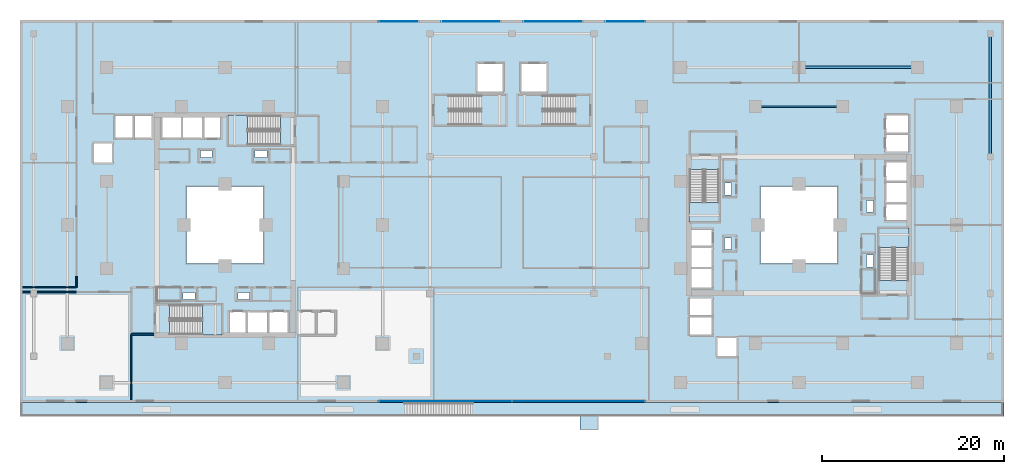
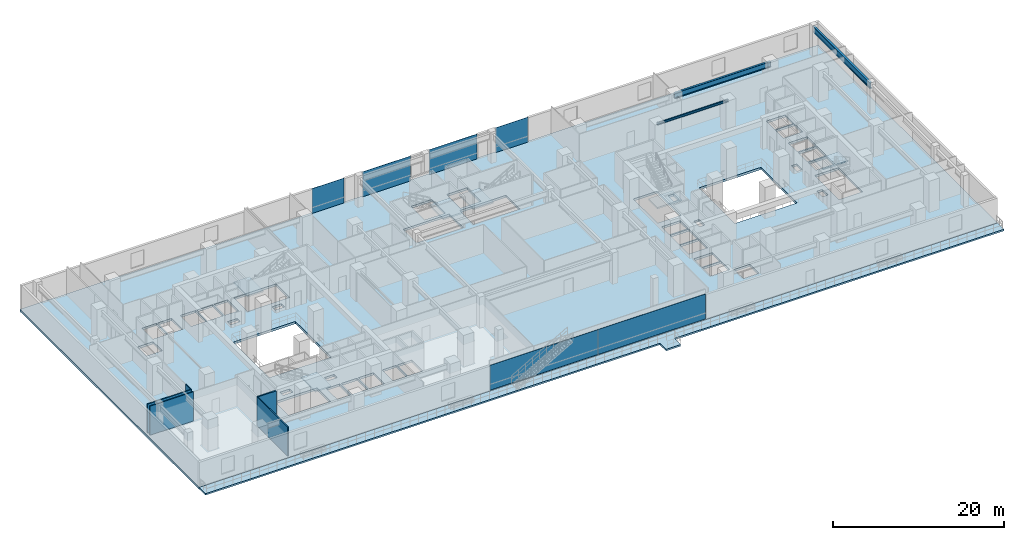
# One storey, part 12 of 25: 8 slabs, 6 plates, 5 walls, 3 beams, 11 elements without a shape of their own.
"""IFC4 building model written with IfcOpenShell, lengths in metres."""

from ifc_helpers import new_model, si_unit, direction, frame, frame_2d, origin, origin_2d, place, context, subcontext, project, spatial, polyline, rectangle, i_section, outline, extrude, material, layer, layer_set, material_profile, profile_set, type_object, element, aggregate, save


model = new_model("IFC4")

# Units and contexts
model_context = context("Model", 3, precision=1e-05, world=origin(), true_north=direction((0.0, 1.0)))
body_context = subcontext(model_context, "Body", "Model", "MODEL_VIEW")
ifc_project = project(units=[si_unit("LENGTHUNIT", "METRE"), si_unit("AREAUNIT", "SQUARE_METRE"), si_unit("VOLUMEUNIT", "CUBIC_METRE"), si_unit("PLANEANGLEUNIT", "RADIAN"), si_unit("MASSUNIT", "GRAM", prefix="KILO")], contexts=[model_context])

# Site, building, storey
site_placement = place(None, origin())
site = spatial("IfcSite", under=ifc_project, at=site_placement, CompositionType="ELEMENT")
building_placement = place(site_placement, origin())
building = spatial("IfcBuilding", under=site, at=building_placement, Name="Thornwick Lancets Civic Towers", CompositionType="ELEMENT")
storey_placement = place(building_placement, frame((0.0, 0.0, 9.60009765625)))
storey = spatial("IfcBuildingStorey", under=building, at=storey_placement, Name="L02", CompositionType="ELEMENT", Elevation=9.60009765625)

# Beams
ifc_material_1 = material(Name="Steel S355JR", Category="steel")
ifc_material_profile_1 = material_profile(ifc_material_1, i_section(OverallWidth=0.26806640625, OverallDepth=0.769775390625, WebThickness=0.015625, FlangeThickness=0.025390625, FilletRadius=0.0166015625, at=origin_2d()), Name="UKB 762x267x197")
ifc_profile_set_1 = profile_set([ifc_material_profile_1], Name="Steel S355JR")
beam_type_1 = type_object("IfcBeamType", Name="BM_GIRD_762_197", PredefinedType="BEAM", material=ifc_profile_set_1)
beam_1_placement = place(storey_placement, frame((101.5, 44.300048828125, 3.794921875), z_axis=(-1.0, 0.0, 0.0), x_axis=(0.0, -1.0, 0.0)))
element("IfcBeam", 1, at=beam_1_placement, inside=storey, type_object=beam_type_1, Name="BM-SPINE-L02-B-3-4", PredefinedType="BEAM", context=body_context, shape_type="SweptSolid", body=[
    extrude(i_section(OverallWidth=0.26806640625, OverallDepth=0.769775390625, WebThickness=0.015625, FlangeThickness=0.025390625, FilletRadius=0.0166015625, at=origin_2d()), origin(), (0.0, 0.0, 1.0), 13.0),
])
ifc_material_profile_2 = material_profile(ifc_material_1, i_section(OverallWidth=0.1669921875, OverallDepth=0.310302734375, WebThickness=0.0078125, FlangeThickness=0.013671875, FilletRadius=0.0087890625, at=origin_2d()), Name="UKB 305x165x54")
ifc_profile_set_2 = profile_set([ifc_material_profile_2], Name="Steel S355JR")
beam_type_2 = type_object("IfcBeamType", Name="BM_LINTEL_305_54", PredefinedType="LINTEL", material=ifc_profile_set_2)
beam_2_placement = place(storey_placement, frame((93.300048828125, 40.0, 4.024658203125), z_axis=(-1.0, 0.0, 0.0), x_axis=(0.0, -1.0, 0.0)))
element("IfcBeam", 2, at=beam_2_placement, inside=storey, type_object=beam_type_2, Name="BM-INSP-L02-B-1-3", PredefinedType="LINTEL", context=body_context, shape_type="SweptSolid", body=[
    extrude(i_section(OverallWidth=0.1669921875, OverallDepth=0.310302734375, WebThickness=0.0078125, FlangeThickness=0.013671875, FilletRadius=0.0087890625, at=origin_2d()), origin(), (0.0, 0.0, 1.0), 9.60009765625),
])
ifc_material_profile_3 = material_profile(ifc_material_1, i_section(OverallWidth=0.293701171875, OverallDepth=0.850830078125, WebThickness=0.01611328125, FlangeThickness=0.02685546875, FilletRadius=0.017822265625, at=origin_2d()), Name="UKB 838x292x226")
ifc_profile_set_3 = profile_set([ifc_material_profile_3], Name="Steel S355JR")
beam_type_3 = type_object("IfcBeamType", Name="BM_POD_838_226", PredefinedType="BEAM", material=ifc_profile_set_3)
beam_3_placement = place(storey_placement, frame((109.5, 34.580078125, 3.75439453125), z_axis=(0.0, 1.0, 0.0), x_axis=(-1.0, 0.0, 0.0)))
element("IfcBeam", 3, at=beam_3_placement, inside=storey, type_object=beam_type_3, Name="BM-PODG-L02-15-16", PredefinedType="BEAM", context=body_context, shape_type="SweptSolid", body=[
    extrude(i_section(OverallWidth=0.293701171875, OverallDepth=0.850830078125, WebThickness=0.01611328125, FlangeThickness=0.02685546875, FilletRadius=0.017822265625, at=origin_2d()), origin(), (0.0, 0.0, 1.0), 13.419921875),
])

# Curtain wall, plates
ifc_material_2 = material(Name="Terracotta-trimmed cascading podium ribbon curtain wall", Category="masonry")
curtain_wall_type = type_object("IfcCurtainWallType", Name="CW_SYS_02", PredefinedType="NOTDEFINED", material=ifc_material_2)
curtain_wall_1_placement = place(storey_placement, origin())
curtain_wall_1 = element("IfcCurtainWall", 4, at=curtain_wall_1_placement, inside=storey, type_object=curtain_wall_type, Name="L02 Curtain Wall CW-L02-POD-SC", PredefinedType="NOTDEFINED")
ifc_material_3 = material(Name="Low-e double glazing clear glass", Category="glass")
ifc_layer_1 = layer(ifc_material_3, 0.035888671875, Name="Low-e double glazing clear glass")
ifc_layer_set_1 = layer_set([ifc_layer_1], Name="Low-e double glazing clear glass")
plate_type = type_object("IfcPlateType", Name="CW_PNL_GLASS", PredefinedType="CURTAIN_PANEL", material=ifc_layer_set_1)
plate_1_placement = place(storey_placement, frame((49.699951171875, 7.659912109375, -0.000244140625), z_axis=(0.0, 0.0, 1.0), x_axis=(1.0, 0.0, 0.0)))
plate_1 = element("IfcPlate", 5, at=plate_1_placement, type_object=plate_type, Name="CW-L02-POD-SC Panel 0", PredefinedType="CURTAIN_PANEL", context=body_context, shape_type="SweptSolid", body=[
    extrude(rectangle(XDim=14.595947265625, YDim=0.035888671875, at=origin_2d()), origin(), (0.0, 0.0, 1.0), 3.56005859375),
])
plate_2_placement = place(storey_placement, frame((64.300048828125, 7.659912109375, -0.000244140625), z_axis=(0.0, 0.0, 1.0), x_axis=(1.0, 0.0, 0.0)))
plate_2 = element("IfcPlate", 6, at=plate_2_placement, type_object=plate_type, Name="CW-L02-POD-SC Panel 1", PredefinedType="CURTAIN_PANEL", context=body_context, shape_type="SweptSolid", body=[
    extrude(rectangle(XDim=14.595947265625, YDim=0.035888671875, at=origin_2d()), origin(), (0.0, 0.0, 1.0), 3.56005859375),
])
aggregate(curtain_wall_1, [plate_1, plate_2])

# Curtain wall, plate
curtain_wall_2_placement = place(storey_placement, origin())
curtain_wall_2 = element("IfcCurtainWall", 7, at=curtain_wall_2_placement, inside=storey, type_object=curtain_wall_type, Name="L02 Curtain Wall CW-L02-POD-NC-S1", PredefinedType="NOTDEFINED")
plate_3_placement = place(storey_placement, frame((69.425048828125, 49.340087890625, -0.000244140625), z_axis=(0.0, 0.0, 1.0), x_axis=(-1.0, 0.0, 0.0)))
plate_3 = element("IfcPlate", 8, at=plate_3_placement, type_object=plate_type, Name="CW-L02-POD-NC-S1 Panel 0", PredefinedType="CURTAIN_PANEL", context=body_context, shape_type="SweptSolid", body=[
    extrude(rectangle(XDim=4.345947265625, YDim=0.035888671875, at=origin_2d()), origin(), (0.0, 0.0, 1.0), 3.56005859375),
])
aggregate(curtain_wall_2, [plate_3])

curtain_wall_3_placement = place(storey_placement, origin())
curtain_wall_3 = element("IfcCurtainWall", 9, at=curtain_wall_3_placement, inside=storey, type_object=curtain_wall_type, Name="L02 Curtain Wall CW-L02-POD-NC-S2", PredefinedType="NOTDEFINED")
plate_4_placement = place(storey_placement, frame((61.5, 49.340087890625, -0.000244140625), z_axis=(0.0, 0.0, 1.0), x_axis=(-1.0, 0.0, 0.0)))
plate_4 = element("IfcPlate", 10, at=plate_4_placement, type_object=plate_type, Name="CW-L02-POD-NC-S2 Panel 0", PredefinedType="CURTAIN_PANEL", context=body_context, shape_type="SweptSolid", body=[
    extrude(rectangle(XDim=6.49609375, YDim=0.035888671875, at=origin_2d()), origin(), (0.0, 0.0, 1.0), 3.56005859375),
])
aggregate(curtain_wall_3, [plate_4])

curtain_wall_4_placement = place(storey_placement, origin())
curtain_wall_4 = element("IfcCurtainWall", 11, at=curtain_wall_4_placement, inside=storey, type_object=curtain_wall_type, Name="L02 Curtain Wall CW-L02-POD-NC-S3", PredefinedType="NOTDEFINED")
plate_5_placement = place(storey_placement, frame((52.5, 49.340087890625, -0.000244140625), z_axis=(0.0, 0.0, 1.0), x_axis=(-1.0, 0.0, 0.0)))
plate_5 = element("IfcPlate", 12, at=plate_5_placement, type_object=plate_type, Name="CW-L02-POD-NC-S3 Panel 0", PredefinedType="CURTAIN_PANEL", context=body_context, shape_type="SweptSolid", body=[
    extrude(rectangle(XDim=6.49609375, YDim=0.035888671875, at=origin_2d()), origin(), (0.0, 0.0, 1.0), 3.56005859375),
])
aggregate(curtain_wall_4, [plate_5])

curtain_wall_5_placement = place(storey_placement, origin())
curtain_wall_5 = element("IfcCurtainWall", 13, at=curtain_wall_5_placement, inside=storey, type_object=curtain_wall_type, Name="L02 Curtain Wall CW-L02-POD-NC-S4", PredefinedType="NOTDEFINED")
plate_6_placement = place(storey_placement, frame((44.574951171875, 49.340087890625, -0.000244140625), z_axis=(0.0, 0.0, 1.0), x_axis=(-1.0, 0.0, 0.0)))
plate_6 = element("IfcPlate", 14, at=plate_6_placement, type_object=plate_type, Name="CW-L02-POD-NC-S4 Panel 0", PredefinedType="CURTAIN_PANEL", context=body_context, shape_type="SweptSolid", body=[
    extrude(rectangle(XDim=4.345947265625, YDim=0.035888671875, at=origin_2d()), origin(), (0.0, 0.0, 1.0), 3.56005859375),
])
aggregate(curtain_wall_5, [plate_6])

# Stair, slab
ifc_material_4 = material(Name="Concrete C40/50", Category="concrete")
stair_type = type_object("IfcStairType", Name="STAIR_DL_4500", PredefinedType="HALF_TURN_STAIR", material=ifc_material_4)
stair_1_placement = place(storey_placement, origin())
stair_1 = element("IfcStair", 15, at=stair_1_placement, inside=storey, type_object=stair_type, Name="L02 Tower A South Exit Stair ST-A1", PredefinedType="HALF_TURN_STAIR")
ifc_layer_2 = layer(ifc_material_4, 0.25, Name="Concrete C40/50")
ifc_layer_set_2 = layer_set([ifc_layer_2], Name="Concrete C40/50")
slab_type_1 = type_object("IfcSlabType", Name="SLAB_LANDING_200", PredefinedType="LANDING", material=ifc_layer_set_2)
slab_1_placement = place(storey_placement, frame((0.0, 0.0, 2.052978515625)))
slab_1 = element("IfcSlab", 16, at=slab_1_placement, type_object=slab_type_1, Name="ST-A1 landing 1", PredefinedType="LANDING", context=body_context, shape_type="SweptSolid", body=[
    extrude(outline(polyline([(23.010009765625, 14.93994140625), (25.14990234375, 14.93994140625), (25.14990234375, 18.260009765625), (23.010009765625, 18.260009765625), (23.010009765625, 14.93994140625)])), origin(), (0.0, 0.0, 1.0), 0.199951171875),
])
aggregate(stair_1, [slab_1])

stair_2_placement = place(storey_placement, origin())
stair_2 = element("IfcStair", 17, at=stair_2_placement, inside=storey, type_object=stair_type, Name="L02 Tower A North Exit Stair ST-A2", PredefinedType="HALF_TURN_STAIR")
slab_2_placement = place(storey_placement, frame((0.0, 0.0, 2.052978515625)))
slab_2 = element("IfcSlab", 18, at=slab_2_placement, type_object=slab_type_1, Name="ST-A2 landing 1", PredefinedType="LANDING", context=body_context, shape_type="SweptSolid", body=[
    extrude(outline(polyline([(27.989990234375, 39.06005859375), (25.85009765625, 39.06005859375), (25.85009765625, 35.739990234375), (27.989990234375, 35.739990234375), (27.989990234375, 39.06005859375)])), origin(), (0.0, 0.0, 1.0), 0.199951171875),
])
aggregate(stair_2, [slab_2])

stair_3_placement = place(storey_placement, origin())
stair_3 = element("IfcStair", 19, at=stair_3_placement, inside=storey, type_object=stair_type, Name="L02 Tower B East Exit Stair ST-B1", PredefinedType="HALF_TURN_STAIR")
slab_3_placement = place(storey_placement, frame((0.0, 0.0, 2.052978515625)))
slab_3 = element("IfcSlab", 20, at=slab_3_placement, type_object=slab_type_1, Name="ST-B1 landing 1", PredefinedType="LANDING", context=body_context, shape_type="SweptSolid", body=[
    extrude(outline(polyline([(100.56005859375, 24.510009765625), (100.56005859375, 26.64990234375), (97.239990234375, 26.64990234375), (97.239990234375, 24.510009765625), (100.56005859375, 24.510009765625)])), origin(), (0.0, 0.0, 1.0), 0.199951171875),
])
aggregate(stair_3, [slab_3])

stair_4_placement = place(storey_placement, origin())
stair_4 = element("IfcStair", 21, at=stair_4_placement, inside=storey, type_object=stair_type, Name="L02 Tower B West Exit Stair ST-B2", PredefinedType="HALF_TURN_STAIR")
slab_4_placement = place(storey_placement, frame((0.0, 0.0, 2.052978515625)))
slab_4 = element("IfcSlab", 22, at=slab_4_placement, type_object=slab_type_1, Name="ST-B2 landing 1", PredefinedType="LANDING", context=body_context, shape_type="SweptSolid", body=[
    extrude(outline(polyline([(76.43994140625, 29.489990234375), (76.43994140625, 27.35009765625), (79.760009765625, 27.35009765625), (79.760009765625, 29.489990234375), (76.43994140625, 29.489990234375)])), origin(), (0.0, 0.0, 1.0), 0.199951171875),
])
aggregate(stair_4, [slab_4])

stair_5_placement = place(storey_placement, origin())
stair_5 = element("IfcStair", 23, at=stair_5_placement, inside=storey, type_object=stair_type, Name="L02 Podium Central West Exit Stair ST-P5", PredefinedType="HALF_TURN_STAIR")
slab_5_placement = place(storey_placement, frame((0.0, 0.0, 2.052978515625)))
slab_5 = element("IfcSlab", 24, at=slab_5_placement, type_object=slab_type_1, Name="ST-P5 landing 1", PredefinedType="LANDING", context=body_context, shape_type="SweptSolid", body=[
    extrude(outline(polyline([(53.610107421875, 37.93994140625), (56.35009765625, 37.93994140625), (56.35009765625, 41.260009765625), (53.610107421875, 41.260009765625), (53.610107421875, 37.93994140625)])), origin(), (0.0, 0.0, 1.0), 0.199951171875),
])
aggregate(stair_5, [slab_5])

stair_6_placement = place(storey_placement, origin())
stair_6 = element("IfcStair", 25, at=stair_6_placement, inside=storey, type_object=stair_type, Name="L02 Podium Central East Exit Stair ST-P6", PredefinedType="HALF_TURN_STAIR")
slab_6_placement = place(storey_placement, frame((0.0, 0.0, 2.052978515625)))
slab_6 = element("IfcSlab", 26, at=slab_6_placement, type_object=slab_type_1, Name="ST-P6 landing 1", PredefinedType="LANDING", context=body_context, shape_type="SweptSolid", body=[
    extrude(outline(polyline([(60.389892578125, 41.260009765625), (57.64990234375, 41.260009765625), (57.64990234375, 37.93994140625), (60.389892578125, 37.93994140625), (60.389892578125, 41.260009765625)])), origin(), (0.0, 0.0, 1.0), 0.199951171875),
])
aggregate(stair_6, [slab_6])

# Slabs
ifc_material_5 = material(Name="Post-tensioned concrete C40/50", Category="concrete")
ifc_layer_3 = layer(ifc_material_5, 0.320068359375, Name="Post-tensioned concrete C40/50")
ifc_layer_set_3 = layer_set([ifc_layer_3], Name="Post-tensioned concrete C40/50")
slab_type_2 = type_object("IfcSlabType", Name="SLAB_PT_320", PredefinedType="FLOOR", material=ifc_layer_set_3)
slab_7_placement = place(storey_placement, frame((0.0, 0.0, -0.320068359375)))
element("IfcSlab", 27, at=slab_7_placement, inside=storey, type_object=slab_type_2, Name="L02 Podium Structural Floor Slab", PredefinedType="FLOOR", context=body_context, shape_type="SweptSolid", body=[
    extrude(outline(polyline([(3.0, 7.5), (111.0, 7.5), (111.0, 49.5), (3.0, 49.5), (3.0, 7.5)]), holes=[polyline([(21.300048828125, 22.800048828125), (29.699951171875, 22.800048828125), (29.699951171875, 31.199951171875), (21.300048828125, 31.199951171875), (21.300048828125, 22.800048828125)]), polyline([(84.300048828125, 22.800048828125), (92.699951171875, 22.800048828125), (92.699951171875, 31.199951171875), (84.300048828125, 31.199951171875), (84.300048828125, 22.800048828125)]), polyline([(19.429931640625, 15.0), (25.10009765625, 15.0), (25.10009765625, 18.199951171875), (19.429931640625, 18.199951171875), (19.429931640625, 15.0)]), polyline([(31.570068359375, 39.0), (25.89990234375, 39.0), (25.89990234375, 35.800048828125), (31.570068359375, 35.800048828125), (31.570068359375, 39.0)]), polyline([(100.5, 20.929931640625), (100.5, 26.60009765625), (97.300048828125, 26.60009765625), (97.300048828125, 20.929931640625), (100.5, 20.929931640625)]), polyline([(76.5, 33.070068359375), (76.5, 27.39990234375), (79.699951171875, 27.39990234375), (79.699951171875, 33.070068359375), (76.5, 33.070068359375)]), polyline([(50.030029296875, 38.0), (56.300048828125, 38.0), (56.300048828125, 41.199951171875), (50.030029296875, 41.199951171875), (50.030029296875, 38.0)]), polyline([(63.969970703125, 41.199951171875), (57.699951171875, 41.199951171875), (57.699951171875, 38.0), (63.969970703125, 38.0), (63.969970703125, 41.199951171875)]), polyline([(26.0, 15.0), (27.800048828125, 15.0), (27.800048828125, 17.550048828125), (26.0, 17.550048828125), (26.0, 15.0)]), polyline([(97.949951171875, 27.5), (100.5, 27.5), (100.5, 29.300048828125), (97.949951171875, 29.300048828125), (97.949951171875, 27.5)]), polyline([(28.0, 15.0), (30.14990234375, 15.0), (30.14990234375, 17.550048828125), (28.0, 17.550048828125), (28.0, 15.0)]), polyline([(97.949951171875, 29.5), (100.5, 29.5), (100.5, 31.64990234375), (97.949951171875, 31.64990234375), (97.949951171875, 29.5)]), polyline([(30.35009765625, 15.0), (32.39990234375, 15.0), (32.39990234375, 17.550048828125), (30.35009765625, 17.550048828125), (30.35009765625, 15.0)]), polyline([(97.949951171875, 31.85009765625), (100.5, 31.85009765625), (100.5, 33.89990234375), (97.949951171875, 33.89990234375), (97.949951171875, 31.85009765625)]), polyline([(33.550048828125, 15.0), (35.449951171875, 15.0), (35.449951171875, 17.550048828125), (33.550048828125, 17.550048828125), (33.550048828125, 15.0)]), polyline([(97.949951171875, 35.050048828125), (100.5, 35.050048828125), (100.5, 36.949951171875), (97.949951171875, 36.949951171875), (97.949951171875, 35.050048828125)]), polyline([(35.60009765625, 15.0), (37.550048828125, 15.0), (37.550048828125, 17.550048828125), (35.60009765625, 17.550048828125), (35.60009765625, 15.0)]), polyline([(97.949951171875, 37.10009765625), (100.5, 37.10009765625), (100.5, 39.050048828125), (97.949951171875, 39.050048828125), (97.949951171875, 37.10009765625)]), polyline([(23.199951171875, 36.449951171875), (25.0, 36.449951171875), (25.0, 39.0), (23.199951171875, 39.0), (23.199951171875, 36.449951171875)]), polyline([(76.5, 24.699951171875), (79.050048828125, 24.699951171875), (79.050048828125, 26.5), (76.5, 26.5), (76.5, 24.699951171875)]), polyline([(20.85009765625, 36.449951171875), (23.0, 36.449951171875), (23.0, 39.0), (20.85009765625, 39.0), (20.85009765625, 36.449951171875)]), polyline([(76.5, 22.35009765625), (79.050048828125, 22.35009765625), (79.050048828125, 24.5), (76.5, 24.5), (76.5, 22.35009765625)]), polyline([(18.60009765625, 36.449951171875), (20.699951171875, 36.449951171875), (20.699951171875, 39.0), (18.60009765625, 39.0), (18.60009765625, 36.449951171875)]), polyline([(76.5, 20.10009765625), (79.050048828125, 20.10009765625), (79.050048828125, 22.199951171875), (76.5, 22.199951171875), (76.5, 20.10009765625)]), polyline([(15.550048828125, 36.449951171875), (17.449951171875, 36.449951171875), (17.449951171875, 39.0), (15.550048828125, 39.0), (15.550048828125, 36.449951171875)]), polyline([(76.5, 17.050048828125), (79.050048828125, 17.050048828125), (79.050048828125, 18.949951171875), (76.5, 18.949951171875), (76.5, 17.050048828125)]), polyline([(13.449951171875, 36.449951171875), (15.39990234375, 36.449951171875), (15.39990234375, 39.0), (13.449951171875, 39.0), (13.449951171875, 36.449951171875)]), polyline([(76.5, 14.949951171875), (79.050048828125, 14.949951171875), (79.050048828125, 16.89990234375), (76.5, 16.89990234375), (76.5, 14.949951171875)]), polyline([(11.10009765625, 33.85009765625), (13.199951171875, 33.85009765625), (13.199951171875, 35.949951171875), (11.10009765625, 35.949951171875), (11.10009765625, 33.85009765625)]), polyline([(79.550048828125, 12.60009765625), (81.64990234375, 12.60009765625), (81.64990234375, 14.699951171875), (79.550048828125, 14.699951171875), (79.550048828125, 12.60009765625)]), polyline([(53.199951171875, 41.60009765625), (56.0, 41.60009765625), (56.0, 44.800048828125), (53.199951171875, 44.800048828125), (53.199951171875, 41.60009765625)]), polyline([(58.0, 41.60009765625), (60.800048828125, 41.60009765625), (60.800048828125, 44.800048828125), (58.0, 44.800048828125), (58.0, 41.60009765625)]), polyline([(26.89990234375, 18.85009765625), (28.199951171875, 18.85009765625), (28.199951171875, 19.580078125), (26.89990234375, 19.580078125), (26.89990234375, 18.85009765625)]), polyline([(20.89990234375, 18.85009765625), (22.199951171875, 18.85009765625), (22.199951171875, 19.580078125), (20.89990234375, 19.580078125), (20.89990234375, 18.85009765625)]), polyline([(22.800048828125, 34.419921875), (24.10009765625, 34.419921875), (24.10009765625, 35.14990234375), (22.800048828125, 35.14990234375), (22.800048828125, 34.419921875)]), polyline([(28.800048828125, 34.419921875), (30.10009765625, 34.419921875), (30.10009765625, 35.14990234375), (28.800048828125, 35.14990234375), (28.800048828125, 34.419921875)]), polyline([(95.919921875, 28.39990234375), (96.64990234375, 28.39990234375), (96.64990234375, 29.699951171875), (95.919921875, 29.699951171875), (95.919921875, 28.39990234375)]), polyline([(95.919921875, 22.39990234375), (96.64990234375, 22.39990234375), (96.64990234375, 23.699951171875), (95.919921875, 23.699951171875), (95.919921875, 22.39990234375)]), polyline([(80.35009765625, 24.300048828125), (81.080078125, 24.300048828125), (81.080078125, 25.60009765625), (80.35009765625, 25.60009765625), (80.35009765625, 24.300048828125)]), polyline([(80.35009765625, 30.300048828125), (81.080078125, 30.300048828125), (81.080078125, 31.60009765625), (80.35009765625, 31.60009765625), (80.35009765625, 30.300048828125)])]), origin(), (0.0, 0.0, 1.0), 0.320068359375),
])
ifc_layer_4 = layer(ifc_material_4, 0.219970703125, Name="Concrete C40/50")
ifc_layer_set_4 = layer_set([ifc_layer_4], Name="Concrete C40/50")
slab_type_3 = type_object("IfcSlabType", Name="SLAB_TERRACE_220", PredefinedType="FLOOR", material=ifc_layer_set_4)
slab_8_placement = place(storey_placement, frame((0.0, 0.0, -0.22021484375)))
element("IfcSlab", 28, at=slab_8_placement, inside=storey, type_object=slab_type_3, Name="L02 Cascading Garden Terrace Slab", PredefinedType="FLOOR", context=body_context, shape_type="SweptSolid", body=[
    extrude(outline(polyline([(3.0, 6.0), (3.0, 7.5), (111.0, 7.5), (111.0, 6.0), (66.419921875, 6.0), (66.419921875, 4.550048828125), (64.43994140625, 4.550048828125), (64.43994140625, 6.0), (3.0, 6.0)])), origin(), (0.0, 0.0, 1.0), 0.22021484375),
])

# Walls
ifc_material_6 = material(Name="Concrete blockwork C40/50", Category="masonry")
ifc_layer_5 = layer(ifc_material_6, 0.199951171875, Name="Concrete blockwork C40/50")
ifc_layer_set_5 = layer_set([ifc_layer_5], Name="Concrete blockwork C40/50")
wall_type_1 = type_object("IfcWallType", Name="WALL_COMP_200", PredefinedType="STANDARD", material=ifc_layer_set_5)
wall_1_placement = place(storey_placement, frame((15.199951171875, 15.0, 0.0), z_axis=(0.0, 0.0, 1.0), x_axis=(1.0, 0.0, 0.0)))
element("IfcWall", 29, at=wall_1_placement, inside=storey, type_object=wall_type_1, Name="L02 Partition L02-A-FFLOB1 E1", PredefinedType="STANDARD", context=body_context, shape_type="SweptSolid", body=[
    extrude(rectangle(XDim=2.5, YDim=0.199951171875, at=frame_2d((1.25, 0.0))), origin(), (0.0, 0.0, 1.0), 4.159912109375),
])
ifc_material_7 = material(Name="Acoustic gypsum board partition")
ifc_layer_6 = layer(ifc_material_7, 0.1201171875, Name="Acoustic gypsum board partition")
ifc_layer_set_6 = layer_set([ifc_layer_6], Name="Acoustic gypsum board partition")
wall_type_2 = type_object("IfcWallType", Name="WALL_PART_120", PredefinedType="PARTITIONING", material=ifc_layer_set_6)
wall_2_placement = place(storey_placement, frame((3.300048828125, 19.64990234375, 0.0), z_axis=(0.0, 0.0, 1.0), x_axis=(1.0, 0.0, 0.0)))
element("IfcWall", 30, at=wall_2_placement, inside=storey, type_object=wall_type_2, Name="L02 Partition L02-MINW E3", PredefinedType="PARTITIONING", context=body_context, shape_type="SweptSolid", body=[
    extrude(rectangle(XDim=5.89990234375, YDim=0.1201171875, at=frame_2d((2.949951171875, 0.0))), origin(), (0.0, 0.0, 1.0), 4.159912109375),
])
wall_3_placement = place(storey_placement, frame((15.199951171875, 15.0, 0.0), z_axis=(0.0, 0.0, 1.0), x_axis=(0.0, -1.0, 0.0)))
element("IfcWall", 31, at=wall_3_placement, inside=storey, type_object=wall_type_2, Name="L02 Partition L02-MINW E6", PredefinedType="PARTITIONING", context=body_context, shape_type="SweptSolid", body=[
    extrude(rectangle(XDim=7.179931640625, YDim=0.1201171875, at=frame_2d((3.58984375, 0.0))), origin(), (0.0, 0.0, 1.0), 4.159912109375),
])
wall_4_placement = place(storey_placement, frame((9.199951171875, 21.39990234375, 0.0), z_axis=(0.0, 0.0, 1.0), x_axis=(0.0, -1.0, 0.0)))
element("IfcWall", 32, at=wall_4_placement, inside=storey, type_object=wall_type_2, Name="L02 Partition L02-WSUITE E4", PredefinedType="PARTITIONING", context=body_context, shape_type="SweptSolid", body=[
    extrude(rectangle(XDim=1.25, YDim=0.1201171875, at=frame_2d((0.625, 0.0))), origin(), (0.0, 0.0, 1.0), 4.159912109375),
])
wall_5_placement = place(storey_placement, frame((9.199951171875, 20.14990234375, 0.0), z_axis=(0.0, 0.0, 1.0), x_axis=(-1.0, 0.0, 0.0)))
element("IfcWall", 33, at=wall_5_placement, inside=storey, type_object=wall_type_2, Name="L02 Partition L02-WSUITE E5", PredefinedType="PARTITIONING", context=body_context, shape_type="SweptSolid", body=[
    extrude(rectangle(XDim=5.89990234375, YDim=0.1201171875, at=frame_2d((2.949951171875, 0.0))), origin(), (0.0, 0.0, 1.0), 4.159912109375),
])

save(model, "model.ifc")
